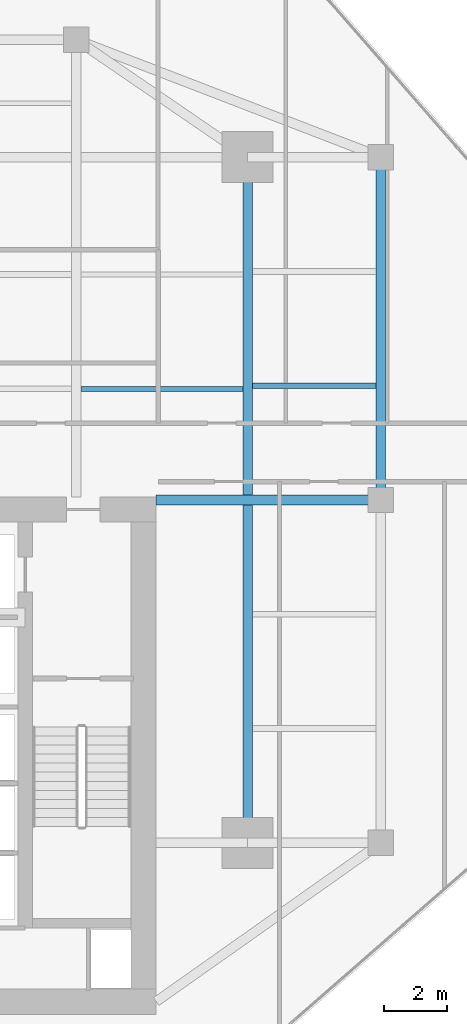
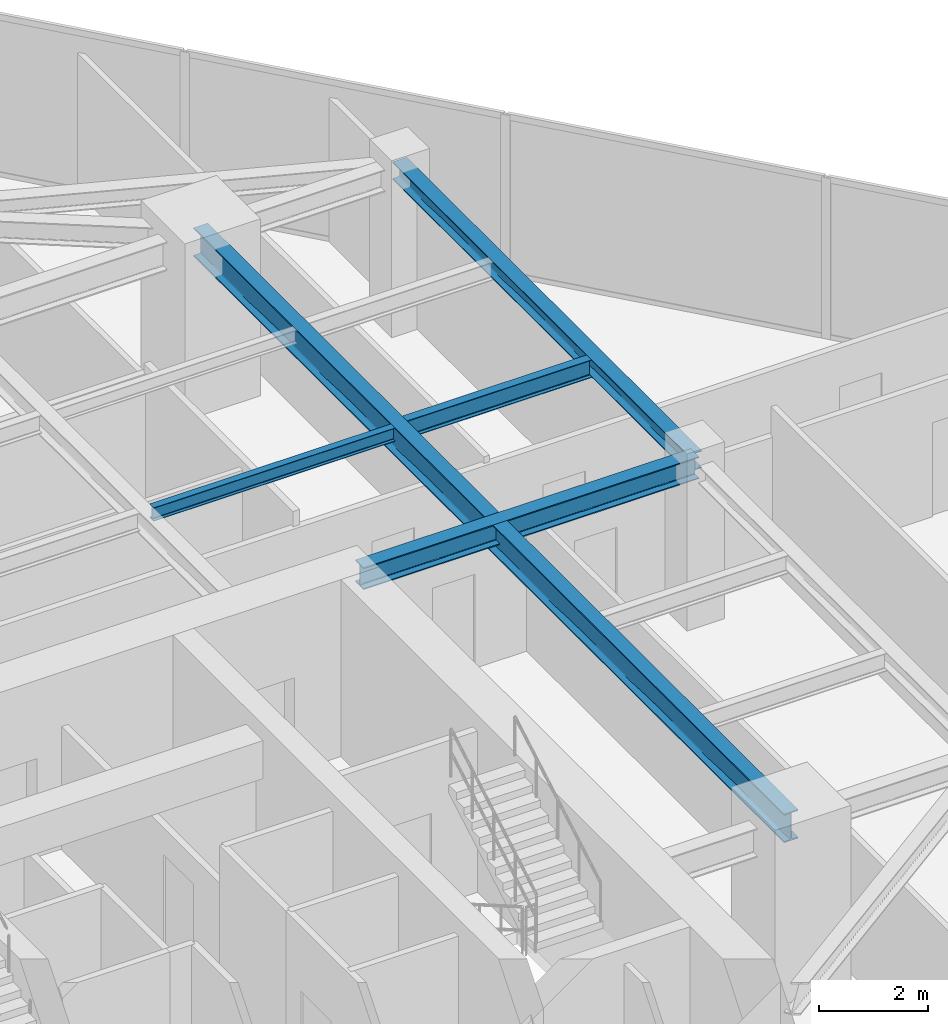
# One storey, part 11 of 24: 5 beams.
"""IFC4 building model written with IfcOpenShell, lengths in metres."""

from ifc_helpers import new_model, si_unit, direction, frame, origin, origin_2d, place, context, subcontext, project, spatial, i_section, extrude, source, transform, mapped, material, material_profile, profile_set, type_object, type_shapes, element, save


model = new_model("IFC4")

# Units and contexts
model_context = context("Model", 3, precision=1e-05, world=origin(), true_north=direction((0.0, 1.0)))
body_context = subcontext(model_context, "Body", "Model", "MODEL_VIEW")
ifc_project = project(units=[si_unit("LENGTHUNIT", "METRE"), si_unit("AREAUNIT", "SQUARE_METRE"), si_unit("VOLUMEUNIT", "CUBIC_METRE"), si_unit("PLANEANGLEUNIT", "RADIAN"), si_unit("MASSUNIT", "GRAM", prefix="KILO")], contexts=[model_context])

# Site, building, storey
site_placement = place(None, origin())
site = spatial("IfcSite", under=ifc_project, at=site_placement, CompositionType="ELEMENT")
building_placement = place(site_placement, origin())
building = spatial("IfcBuilding", under=site, at=building_placement, Name="Krantzveldt Concourse Tower", CompositionType="ELEMENT")
storey_placement = place(building_placement, frame((0.0, 0.0, 258.64990234375)))
storey = spatial("IfcBuildingStorey", under=building, at=storey_placement, Name="L63", CompositionType="ELEMENT", Elevation=258.64990234375)

# Beams
ifc_material = material(Name="Steel S355JR", Category="steel")
ifc_material_profile_1 = material_profile(ifc_material, i_section(OverallWidth=0.300048828125, OverallDepth=0.639892578125, WebThickness=0.013427734375, FlangeThickness=0.02587890625, FilletRadius=0.027099609375, at=origin_2d()), Name="Steel S355JR", Category="steel")
ifc_profile_set_1 = profile_set([ifc_material_profile_1], Name="Steel S355JR - HEA 650")
beam_type_1 = type_object("IfcBeamType", Name="BM-B-HEA650", PredefinedType="BEAM", material=ifc_profile_set_1)
shared_shape_1 = source(origin(), body_context, "Body", "SweptSolid", [
    extrude(i_section(OverallWidth=0.300048828125, OverallDepth=0.639892578125, WebThickness=0.013427734375, FlangeThickness=0.02587890625, FilletRadius=0.027099609375, at=origin_2d()), origin(), (0.0, 0.0, 1.0), 21.60009765625),
])
type_shapes(beam_type_1, [shared_shape_1])
beam_1_placement = place(storey_placement, frame((46.800048828125, 15.89990234375, 3.280029296875), z_axis=(0.0, 1.0, 0.0), x_axis=(-1.0, 0.0, 0.0)))
element("IfcBeam", 1, at=beam_1_placement, inside=storey, type_object=beam_type_1, Name="L63 Tower Girder BG-ME", PredefinedType="BEAM", context=body_context, shape_type="MappedRepresentation", body=[
    mapped(shared_shape_1, transform((0.0, 0.0, 0.0), x_axis=(1.0, 0.0, 0.0), y_axis=(0.0, 1.0, 0.0), z_axis=(0.0, 0.0, 1.0), scale=1.0)),
])
ifc_material_profile_2 = material_profile(ifc_material, i_section(OverallWidth=0.300048828125, OverallDepth=0.389892578125, WebThickness=0.010986328125, FlangeThickness=0.01904296875, FilletRadius=0.027099609375, at=origin_2d()), Name="Steel S355JR", Category="steel")
ifc_profile_set_2 = profile_set([ifc_material_profile_2], Name="Steel S355JR - HEA 400")
beam_type_2 = type_object("IfcBeamType", Name="BM-SP-HEA400", PredefinedType="SPANDREL", material=ifc_profile_set_2)
shared_shape_2 = source(origin(), body_context, "Body", "SweptSolid", [
    extrude(i_section(OverallWidth=0.300048828125, OverallDepth=0.389892578125, WebThickness=0.010986328125, FlangeThickness=0.01904296875, FilletRadius=0.027099609375, at=origin_2d()), origin(), (0.0, 0.0, 1.0), 10.800048828125),
])
type_shapes(beam_type_2, [shared_shape_2])
beam_2_placement = place(storey_placement, frame((51.0, 37.5, 3.405029296875), z_axis=(0.0, -1.0, 0.0), x_axis=(1.0, 0.0, 0.0)))
element("IfcBeam", 2, at=beam_2_placement, inside=storey, type_object=beam_type_2, Name="L63 Tower Girder SP-R06", PredefinedType="SPANDREL", context=body_context, shape_type="MappedRepresentation", body=[
    mapped(shared_shape_2, transform((0.0, 0.0, 0.0), x_axis=(1.0, 0.0, 0.0), y_axis=(0.0, 1.0, 0.0), z_axis=(0.0, 0.0, 1.0), scale=1.0)),
])
ifc_material_profile_3 = material_profile(ifc_material, i_section(OverallWidth=0.300048828125, OverallDepth=0.489990234375, WebThickness=0.011962890625, FlangeThickness=0.02294921875, FilletRadius=0.027099609375, at=origin_2d()), Name="Steel S355JR", Category="steel")
ifc_profile_set_3 = profile_set([ifc_material_profile_3], Name="Steel S355JR - HEA 500")
beam_type_3 = type_object("IfcBeamType", Name="BM-B-HEA500", PredefinedType="BEAM", material=ifc_profile_set_3)
shared_shape_3 = source(origin(), body_context, "Body", "SweptSolid", [
    extrude(i_section(OverallWidth=0.300048828125, OverallDepth=0.489990234375, WebThickness=0.011962890625, FlangeThickness=0.02294921875, FilletRadius=0.027099609375, at=origin_2d()), origin(), (0.0, 0.0, 1.0), 7.080078125),
])
type_shapes(beam_type_3, [shared_shape_3])
beam_3_placement = place(storey_placement, frame((43.919921875, 26.699951171875, 3.35498046875), z_axis=(1.0, 0.0, 0.0), x_axis=(0.0, 1.0, 0.0)))
element("IfcBeam", 3, at=beam_3_placement, inside=storey, type_object=beam_type_3, Name="L63 Tower Girder BG-CE2", PredefinedType="BEAM", context=body_context, shape_type="MappedRepresentation", body=[
    mapped(shared_shape_3, transform((0.0, 0.0, 0.0), x_axis=(1.0, 0.0, 0.0), y_axis=(0.0, 1.0, 0.0), z_axis=(0.0, 0.0, 1.0), scale=1.0)),
])
ifc_material_profile_4 = material_profile(ifc_material, i_section(OverallWidth=0.14990234375, OverallDepth=0.300048828125, WebThickness=0.007080078125, FlangeThickness=0.0107421875, FilletRadius=0.014892578125, at=origin_2d()), Name="Steel S355JR", Category="steel")
ifc_profile_set_4 = profile_set([ifc_material_profile_4], Name="Steel S355JR - IPE 300")
beam_type_4 = type_object("IfcBeamType", Name="BM-J-IPE300", PredefinedType="JOIST", material=ifc_profile_set_4)
shared_shape_4 = source(origin(), body_context, "Body", "SweptSolid", [
    extrude(i_section(OverallWidth=0.14990234375, OverallDepth=0.300048828125, WebThickness=0.007080078125, FlangeThickness=0.0107421875, FilletRadius=0.014892578125, at=origin_2d()), origin(), (0.0, 0.0, 1.0), 5.099853515625),
])
type_shapes(beam_type_4, [shared_shape_4])
beam_4_placement = place(storey_placement, frame((41.550048828125, 30.199951171875, 3.4501953125), z_axis=(1.0, 0.0, 0.0), x_axis=(0.0, 1.0, 0.0)))
element("IfcBeam", 4, at=beam_4_placement, inside=storey, type_object=beam_type_4, Name="L63 Secondary Floor Joist JN-E1", PredefinedType="JOIST", context=body_context, shape_type="MappedRepresentation", body=[
    mapped(shared_shape_4, transform((0.0, 0.0, 0.0), x_axis=(1.0, 0.0, 0.0), y_axis=(0.0, 1.0, 0.0), z_axis=(0.0, 0.0, 1.0), scale=1.0)),
])
ifc_material_profile_5 = material_profile(ifc_material, i_section(OverallWidth=0.179931640625, OverallDepth=0.39990234375, WebThickness=0.008544921875, FlangeThickness=0.013427734375, FilletRadius=0.02099609375, at=origin_2d()), Name="Steel S355JR", Category="steel")
ifc_profile_set_5 = profile_set([ifc_material_profile_5], Name="Steel S355JR - IPE 400")
beam_type_5 = type_object("IfcBeamType", Name="BM-J-IPE400", PredefinedType="JOIST", material=ifc_profile_set_5)
shared_shape_5 = source(origin(), body_context, "Body", "SweptSolid", [
    extrude(i_section(OverallWidth=0.179931640625, OverallDepth=0.39990234375, WebThickness=0.008544921875, FlangeThickness=0.013427734375, FilletRadius=0.02099609375, at=origin_2d()), origin(), (0.0, 0.0, 1.0), 3.900146484375),
])
type_shapes(beam_type_5, [shared_shape_5])
beam_5_placement = place(storey_placement, frame((46.949951171875, 30.300048828125, 3.400146484375), z_axis=(1.0, 0.0, 0.0), x_axis=(0.0, 1.0, 0.0)))
element("IfcBeam", 5, at=beam_5_placement, inside=storey, type_object=beam_type_5, Name="L63 Secondary Floor Joist JE-3", PredefinedType="JOIST", context=body_context, shape_type="MappedRepresentation", body=[
    mapped(shared_shape_5, transform((0.0, 0.0, 0.0), x_axis=(1.0, 0.0, 0.0), y_axis=(0.0, 1.0, 0.0), z_axis=(0.0, 0.0, 1.0), scale=1.0)),
])

save(model, "model.ifc")
